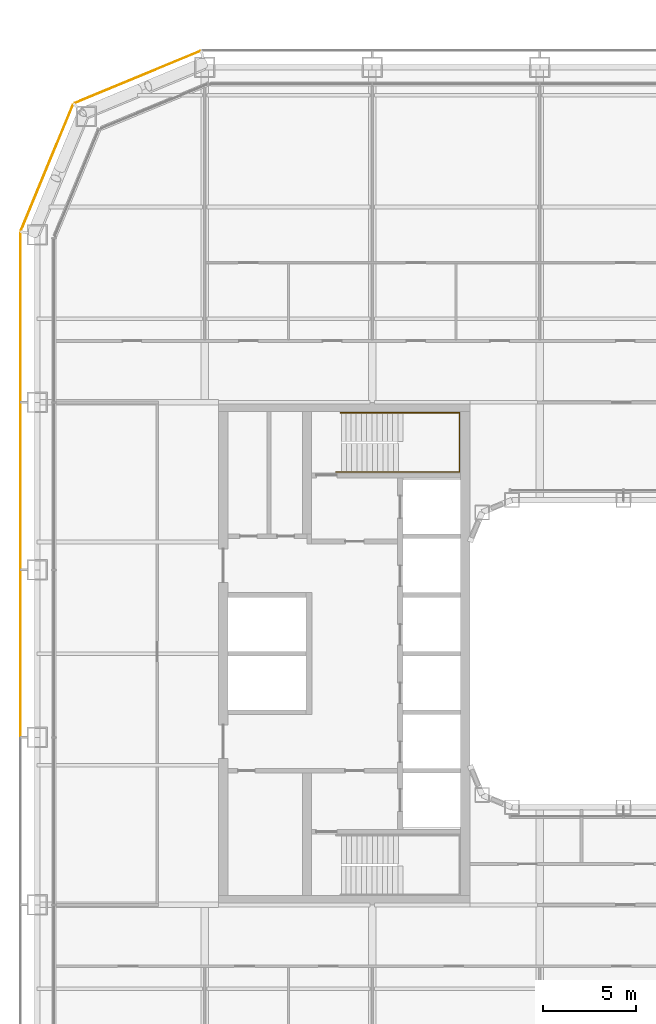
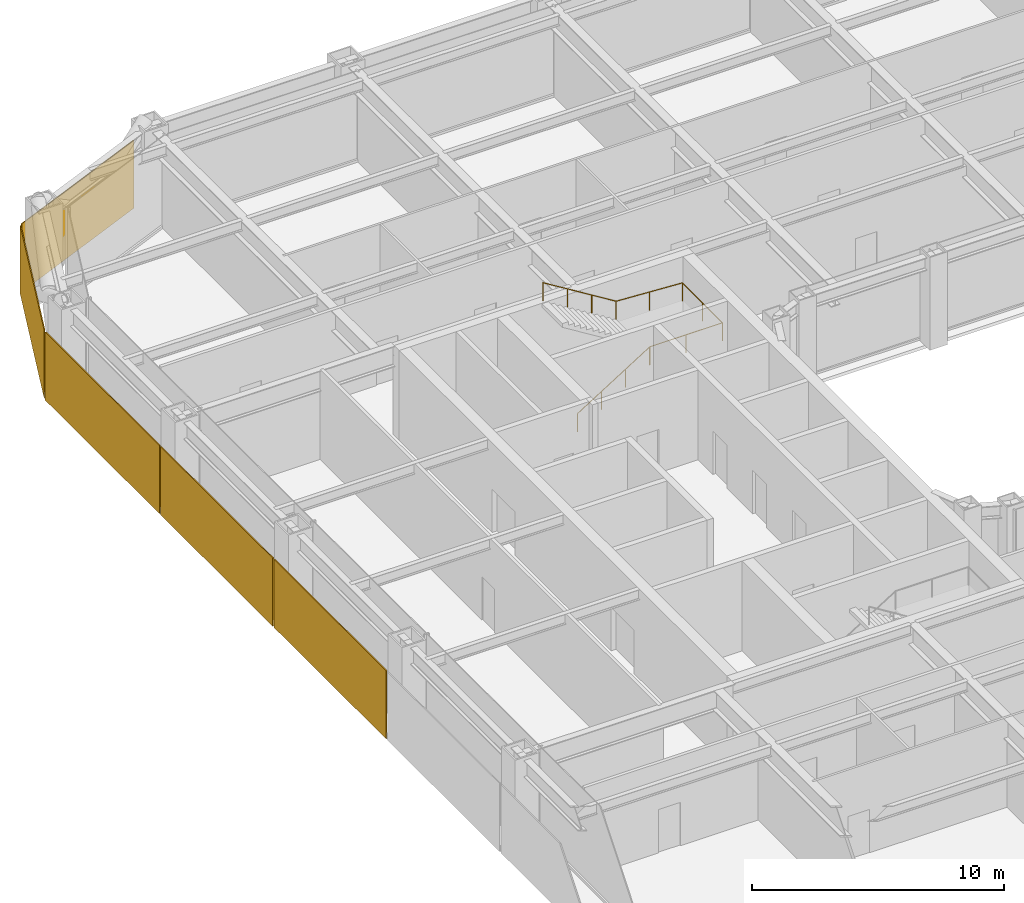
# One storey, part 27 of 30: 5 coverings, 1 railing.
"""IFC4 building model written with IfcOpenShell, lengths in metres."""

from ifc_helpers import new_model, si_unit, direction, frame, origin, origin_2d, place, context, subcontext, project, spatial, rectangle, circle, extrude, material, layer, layer_set, type_object, element, save


model = new_model("IFC4")

# Units and contexts
model_context = context("Model", 3, precision=1e-05, world=origin(), true_north=direction((0.0, 1.0)))
body_context = subcontext(model_context, "Body", "Model", "MODEL_VIEW")
ifc_project = project(units=[si_unit("LENGTHUNIT", "METRE"), si_unit("AREAUNIT", "SQUARE_METRE"), si_unit("VOLUMEUNIT", "CUBIC_METRE"), si_unit("PLANEANGLEUNIT", "RADIAN"), si_unit("MASSUNIT", "GRAM", prefix="KILO")], contexts=[model_context])

# Site, building, storey
site_placement = place(None, origin())
site = spatial("IfcSite", under=ifc_project, at=site_placement, CompositionType="ELEMENT")
building_placement = place(site_placement, origin())
building = spatial("IfcBuilding", under=site, at=building_placement, Name="Siwar Civic Tower", CompositionType="ELEMENT")
storey_placement = place(building_placement, frame((0.0, 0.0, 44.699951171875)))
storey = spatial("IfcBuildingStorey", under=building, at=storey_placement, Name="L09", CompositionType="ELEMENT", Elevation=44.699951171875)

# Railing
ifc_material_1 = material(Name="Stainless steel", Category="steel")
railing_type = type_object("IfcRailingType", Name="CORE-STAIR-HANDRAIL", PredefinedType="HANDRAIL", material=ifc_material_1)
railing_placement = place(storey_placement, frame((-15.449951171875, 9.758056640625, 0.173095703125)))
element("IfcRailing", 1, at=railing_placement, inside=storey, type_object=railing_type, Name="Stair handrail ST1", PredefinedType="HANDRAIL", context=body_context, shape_type="SweptSolid", body=[
    extrude(circle(Radius=0.02001953125, at=origin_2d()), frame((0.0, 0.0, 0.8798828125), z_axis=(0.847063342986, 0.0, 0.531491950051), x_axis=(0.0, 1.0, 0.0)), (0.0, 0.0, 1.0), 3.90771484375),
    extrude(circle(Radius=0.02001953125, at=origin_2d()), frame((3.31005859375, 0.0, 2.956787109375), z_axis=(1.0, 0.0, 0.0), x_axis=(0.0, 1.0, 0.0)), (0.0, 0.0, 1.0), 3.331787109375),
    extrude(circle(Radius=0.02001953125, at=origin_2d()), frame((6.641845703125, 0.0, 2.956787109375), z_axis=(0.0, 1.0, 0.0), x_axis=(-1.0, 0.0, 0.0)), (0.0, 0.0, 1.0), 3.183837890625),
    extrude(circle(Radius=0.02001953125, at=origin_2d()), frame((6.641845703125, 3.183837890625, 2.956787109375), z_axis=(-0.99837434197, 0.0, 0.056997134106), x_axis=(0.0, -1.0, 0.0)), (0.0, 0.0, 1.0), 3.036865234375),
    extrude(circle(Radius=0.02001953125, at=origin_2d()), frame((3.60986328125, 3.183837890625, 3.1298828125), z_axis=(-0.850606129759, 0.0, 0.525803396734), x_axis=(0.0, -1.0, 0.0)), (0.0, 0.0, 1.0), 3.949951171875),
    extrude(circle(Radius=0.02001953125, at=origin_2d()), origin(), (0.0, 0.0, 1.0), 0.85986328125),
    extrude(circle(Radius=0.02001953125, at=origin_2d()), frame((1.103271484375, 0.0, 0.6923828125)), (0.0, 0.0, 1.0), 0.85986328125),
    extrude(circle(Radius=0.02001953125, at=origin_2d()), frame((2.206787109375, 0.0, 1.384521484375)), (0.0, 0.0, 1.0), 0.85986328125),
    extrude(circle(Radius=0.02001953125, at=origin_2d()), frame((3.31005859375, 0.0, 2.076904296875)), (0.0, 0.0, 1.0), 0.85986328125),
    extrude(circle(Radius=0.02001953125, at=origin_2d()), frame((4.97607421875, 0.0, 2.076904296875)), (0.0, 0.0, 1.0), 0.85986328125),
    extrude(circle(Radius=0.02001953125, at=origin_2d()), frame((6.641845703125, 0.0, 2.076904296875)), (0.0, 0.0, 1.0), 0.85986328125),
    extrude(circle(Radius=0.02001953125, at=origin_2d()), frame((6.641845703125, 1.591796875, 2.076904296875)), (0.0, 0.0, 1.0), 0.85986328125),
    extrude(circle(Radius=0.02001953125, at=origin_2d()), frame((6.641845703125, 3.183837890625, 2.076904296875)), (0.0, 0.0, 1.0), 0.85986328125),
    extrude(circle(Radius=0.02001953125, at=origin_2d()), frame((5.1259765625, 3.183837890625, 2.16357421875)), (0.0, 0.0, 1.0), 0.85986328125),
    extrude(circle(Radius=0.02001953125, at=origin_2d()), frame((3.60986328125, 3.183837890625, 2.25)), (0.0, 0.0, 1.0), 0.85986328125),
    extrude(circle(Radius=0.02001953125, at=origin_2d()), frame((2.489990234375, 3.183837890625, 2.9423828125)), (0.0, 0.0, 1.0), 0.85986328125),
    extrude(circle(Radius=0.02001953125, at=origin_2d()), frame((1.369873046875, 3.183837890625, 3.634521484375)), (0.0, 0.0, 1.0), 0.85986328125),
    extrude(circle(Radius=0.02001953125, at=origin_2d()), frame((0.25, 3.183837890625, 4.326904296875)), (0.0, 0.0, 1.0), 0.85986328125),
])

# Coverings
ifc_material_2 = material(Name="Perforated aluminium cassette, pale metal", Category="aluminium")
ifc_layer_1 = layer(ifc_material_2, 0.0400390625)
ifc_layer_set_1 = layer_set([ifc_layer_1], Name="Perforated aluminium cassette, pale metal")
covering_type_1 = type_object("IfcCoveringType", Name="ENV-OUTER SKIN OS-1", PredefinedType="CLADDING", material=ifc_layer_set_1)
covering_1_placement = place(storey_placement, frame((-26.115966796875, 30.976318359375, -0.14990234375), z_axis=(0.0, 0.0, 1.0), x_axis=(-0.923879532511, -0.382683432365, 0.0)))
element("IfcCovering", 2, at=covering_1_placement, inside=storey, type_object=covering_type_1, Name="OUTER SKIN OS-1 NW1 1", PredefinedType="CLADDING", context=body_context, shape_type="SweptSolid", body=[
    extrude(rectangle(XDim=7.300048828125, YDim=0.0400390625, at=origin_2d()), origin(), (0.0, 0.0, 1.0), 3.300048828125),
])
ifc_material_3 = material(Name="Perforated aluminium cassette, pale metal", Category="aluminium")
ifc_layer_2 = layer(ifc_material_3, 0.044921875)
ifc_layer_set_2 = layer_set([ifc_layer_2], Name="Perforated aluminium cassette, pale metal")
covering_type_2 = type_object("IfcCoveringType", Name="ENV-OUTER SKIN OS-2", PredefinedType="CLADDING", material=ifc_layer_set_2)
covering_2_placement = place(storey_placement, frame((-30.976318359375, 26.115966796875, -0.14990234375), z_axis=(0.0, 0.0, 1.0), x_axis=(-0.382683432365, -0.923879532511, 0.0)))
element("IfcCovering", 3, at=covering_2_placement, inside=storey, type_object=covering_type_2, Name="OUTER SKIN OS-2 NW2 1", PredefinedType="CLADDING", context=body_context, shape_type="SweptSolid", body=[
    extrude(rectangle(XDim=7.300048828125, YDim=0.044921875, at=origin_2d()), origin(), (0.0, 0.0, 1.0), 3.300048828125),
])
ifc_material_4 = material(Name="Perforated aluminium cassette, pale metal", Category="aluminium")
ifc_layer_3 = layer(ifc_material_4, 0.050048828125)
ifc_layer_set_3 = layer_set([ifc_layer_3], Name="Perforated aluminium cassette, pale metal")
covering_type_3 = type_object("IfcCoveringType", Name="ENV-OUTER SKIN OS-3", PredefinedType="CLADDING", material=ifc_layer_set_3)
covering_3_placement = place(storey_placement, frame((-32.39990234375, 18.07958984375, -0.14990234375), z_axis=(0.0, 0.0, 1.0), x_axis=(0.0, -1.0, 0.0)))
element("IfcCovering", 4, at=covering_3_placement, inside=storey, type_object=covering_type_3, Name="OUTER SKIN OS-3 W 1", PredefinedType="CLADDING", context=body_context, shape_type="SweptSolid", body=[
    extrude(rectangle(XDim=9.05908203125, YDim=0.050048828125, at=origin_2d()), origin(), (0.0, 0.0, 1.0), 3.300048828125),
])
for number, where, z_axis, x_axis, name in (
    (5, (-32.39990234375, 9.0, -0.14990234375), (0.0, 0.0, 1.0), (0.0, -1.0, 0.0), "OUTER SKIN OS-3 W 2"),
    (6, (-32.39990234375, 0.0, -0.14990234375), (0.0, 0.0, 1.0), (0.0, -1.0, 0.0), "OUTER SKIN OS-3 W 3"),
):
    element("IfcCovering", number, at=place(storey_placement, frame(where, z_axis=z_axis, x_axis=x_axis)), inside=storey, type_object=covering_type_3, Name=name, PredefinedType="CLADDING", context=body_context, shape_type="SweptSolid", body=[
        extrude(rectangle(XDim=8.89990234375, YDim=0.050048828125, at=origin_2d()), origin(), (0.0, 0.0, 1.0), 3.300048828125),
    ])

save(model, "model.ifc")
